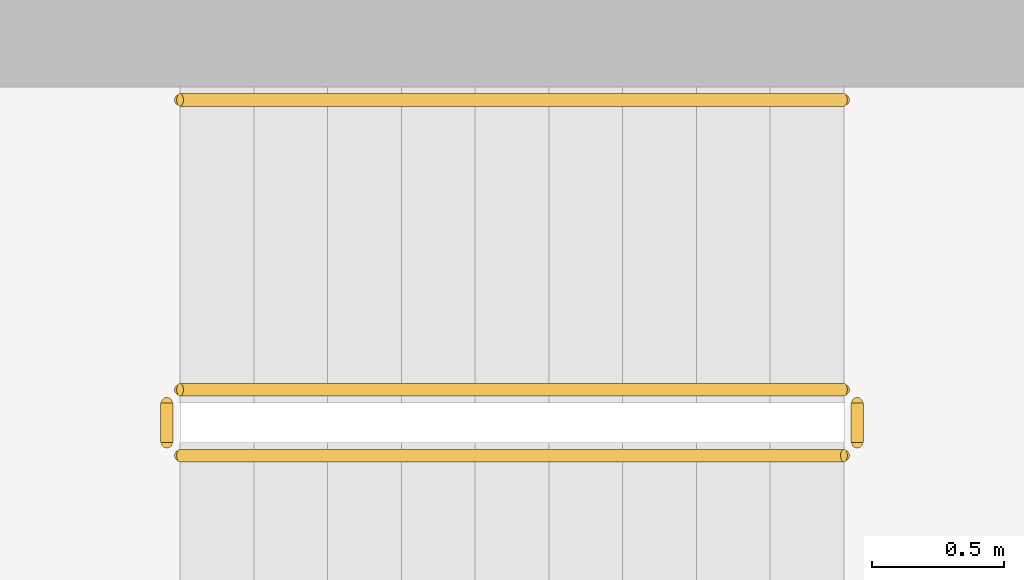
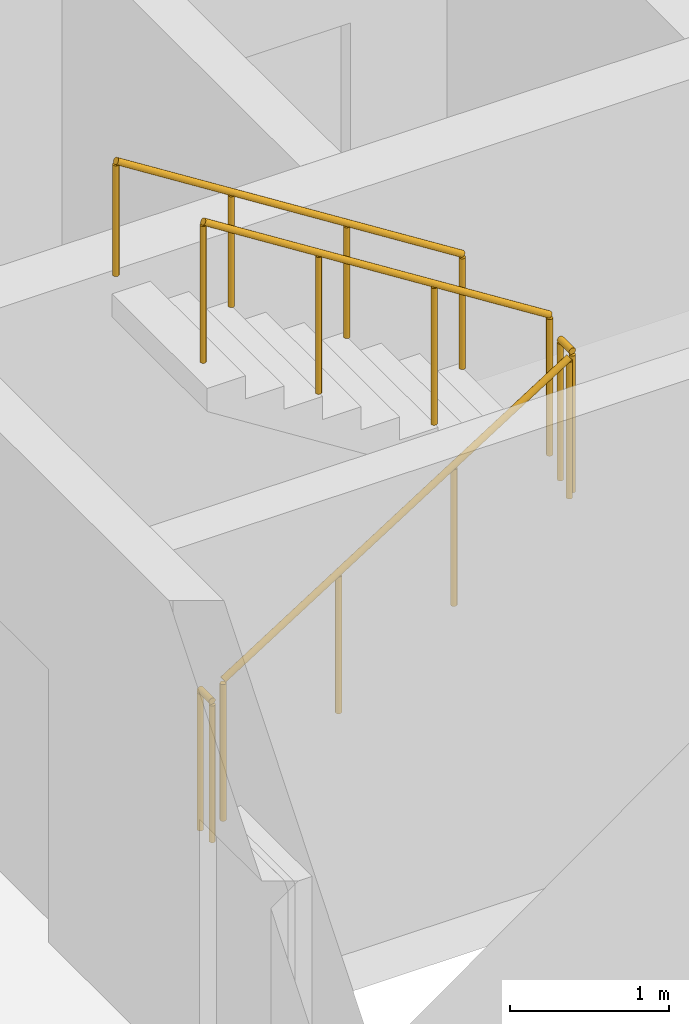
# One storey, part 15 of 17: 5 railings.
"""IFC4 building model written with IfcOpenShell, lengths in metres."""

from ifc_helpers import new_model, si_unit, direction, frame, origin, origin_2d, place, context, subcontext, project, spatial, circle, extrude, material, type_object, element, save


model = new_model("IFC4")

# Units and contexts
model_context = context("Model", 3, precision=1e-05, world=origin(), true_north=direction((0.0, 1.0)))
body_context = subcontext(model_context, "Body", "Model", "MODEL_VIEW")
ifc_project = project(units=[si_unit("LENGTHUNIT", "METRE"), si_unit("AREAUNIT", "SQUARE_METRE"), si_unit("VOLUMEUNIT", "CUBIC_METRE"), si_unit("PLANEANGLEUNIT", "RADIAN"), si_unit("MASSUNIT", "GRAM", prefix="KILO")], contexts=[model_context])

# Site, building, storey
site_placement = place(None, origin())
site = spatial("IfcSite", under=ifc_project, at=site_placement, CompositionType="ELEMENT")
building_placement = place(site_placement, origin())
building = spatial("IfcBuilding", under=site, at=building_placement, Name="Ostrand Prow Hotel Tower", CompositionType="ELEMENT")
storey_placement = place(building_placement, frame((0.0, 0.0, 140.85009765625)))
storey = spatial("IfcBuildingStorey", under=building, at=storey_placement, Name="L34", CompositionType="ELEMENT", Elevation=140.85009765625)

# Railings
ifc_material_1 = material(Name="Painted steel", Category="steel")
railing_type_1 = type_object("IfcRailingType", Name="Stair guard 1100", PredefinedType="GUARDRAIL", material=ifc_material_1)
railing_1_placement = place(storey_placement, frame((57.199951171875, -11.75, 0.177490234375)))
element("IfcRailing", 1, at=railing_1_placement, inside=storey, type_object=railing_type_1, Name="L34 ST2C stair guard 1", PredefinedType="GUARDRAIL", context=body_context, shape_type="SweptSolid", body=[
    extrude(circle(Radius=0.02392578125, at=origin_2d()), frame((0.0, 0.0, 1.076171875), z_axis=(0.84460694969, 0.0, 0.535386869969), x_axis=(0.0, 1.0, 0.0)), (0.0, 0.0, 1.0), 2.983642578125),
    extrude(circle(Radius=0.02099609375, at=origin_2d()), origin(), (0.0, 0.0, 1.0), 1.052001953125),
    extrude(circle(Radius=0.02099609375, at=origin_2d()), frame((0.840087890625, 0.0, 0.532470703125)), (0.0, 0.0, 1.0), 1.052001953125),
    extrude(circle(Radius=0.02099609375, at=origin_2d()), frame((1.679931640625, 0.0, 1.06494140625)), (0.0, 0.0, 1.0), 1.052001953125),
    extrude(circle(Radius=0.02099609375, at=origin_2d()), frame((2.52001953125, 0.0, 1.597412109375)), (0.0, 0.0, 1.0), 1.052001953125),
])
railing_2_placement = place(storey_placement, frame((59.77001953125, -11.699951171875, 1.77490234375)))
element("IfcRailing", 2, at=railing_2_placement, inside=storey, type_object=railing_type_1, Name="L34 ST2C stair guard 2", PredefinedType="GUARDRAIL", context=body_context, shape_type="SweptSolid", body=[
    extrude(circle(Radius=0.02392578125, at=origin_2d()), frame((0.0, 0.0, 1.076171875), z_axis=(0.0, 1.0, 0.0), x_axis=(-1.0, 0.0, 0.0)), (0.0, 0.0, 1.0), 0.14990234375),
    extrude(circle(Radius=0.02099609375, at=origin_2d()), origin(), (0.0, 0.0, 1.0), 1.052001953125),
    extrude(circle(Radius=0.02099609375, at=origin_2d()), frame((0.0, 0.14990234375, 0.0)), (0.0, 0.0, 1.0), 1.052001953125),
])
railing_3_placement = place(storey_placement, frame((59.719970703125, -11.5, 1.952392578125)))
element("IfcRailing", 3, at=railing_3_placement, inside=storey, type_object=railing_type_1, Name="L34 ST2C stair guard 3", PredefinedType="GUARDRAIL", context=body_context, shape_type="SweptSolid", body=[
    extrude(circle(Radius=0.02392578125, at=origin_2d()), frame((0.0, 0.0, 1.076171875), z_axis=(-0.84460694969, 0.0, 0.535386869969), x_axis=(0.0, -1.0, 0.0)), (0.0, 0.0, 1.0), 2.983642578125),
    extrude(circle(Radius=0.02099609375, at=origin_2d()), origin(), (0.0, 0.0, 1.0), 1.052001953125),
    extrude(circle(Radius=0.02099609375, at=origin_2d()), frame((-0.840087890625, 0.0, 0.532470703125)), (0.0, 0.0, 1.0), 1.052001953125),
    extrude(circle(Radius=0.02099609375, at=origin_2d()), frame((-1.679931640625, 0.0, 1.06494140625)), (0.0, 0.0, 1.0), 1.052001953125),
    extrude(circle(Radius=0.02099609375, at=origin_2d()), frame((-2.52001953125, 0.0, 1.597412109375)), (0.0, 0.0, 1.0), 1.052001953125),
])
railing_4_placement = place(storey_placement, frame((57.14990234375, -11.699951171875, 0.0)))
element("IfcRailing", 4, at=railing_4_placement, inside=storey, type_object=railing_type_1, Name="L34 ST2C stair guard 4", PredefinedType="GUARDRAIL", context=body_context, shape_type="SweptSolid", body=[
    extrude(circle(Radius=0.02392578125, at=origin_2d()), frame((0.0, 0.0, 1.076171875), z_axis=(0.0, 1.0, 0.0), x_axis=(-1.0, 0.0, 0.0)), (0.0, 0.0, 1.0), 0.14990234375),
    extrude(circle(Radius=0.02099609375, at=origin_2d()), origin(), (0.0, 0.0, 1.0), 1.052001953125),
    extrude(circle(Radius=0.02099609375, at=origin_2d()), frame((0.0, 0.14990234375, 0.0)), (0.0, 0.0, 1.0), 1.052001953125),
])
ifc_material_2 = material(Name="Stainless steel", Category="steel")
railing_type_2 = type_object("IfcRailingType", Name="Stair handrail 900", PredefinedType="HANDRAIL", material=ifc_material_2)
railing_5_placement = place(storey_placement, frame((59.719970703125, -10.39990234375, 1.952392578125)))
element("IfcRailing", 5, at=railing_5_placement, inside=storey, type_object=railing_type_2, Name="L34 ST2C stair handrail 2", PredefinedType="HANDRAIL", context=body_context, shape_type="SweptSolid", body=[
    extrude(circle(Radius=0.02392578125, at=origin_2d()), frame((0.0, 0.0, 0.8759765625), z_axis=(-0.84460694969, 0.0, 0.535386869969), x_axis=(0.0, -1.0, 0.0)), (0.0, 0.0, 1.0), 2.983642578125),
    extrude(circle(Radius=0.02099609375, at=origin_2d()), origin(), (0.0, 0.0, 1.0), 0.851806640625),
    extrude(circle(Radius=0.02099609375, at=origin_2d()), frame((-0.840087890625, 0.0, 0.532470703125)), (0.0, 0.0, 1.0), 0.851806640625),
    extrude(circle(Radius=0.02099609375, at=origin_2d()), frame((-1.679931640625, 0.0, 1.06494140625)), (0.0, 0.0, 1.0), 0.851806640625),
    extrude(circle(Radius=0.02099609375, at=origin_2d()), frame((-2.52001953125, 0.0, 1.597412109375)), (0.0, 0.0, 1.0), 0.851806640625),
])

save(model, "model.ifc")
